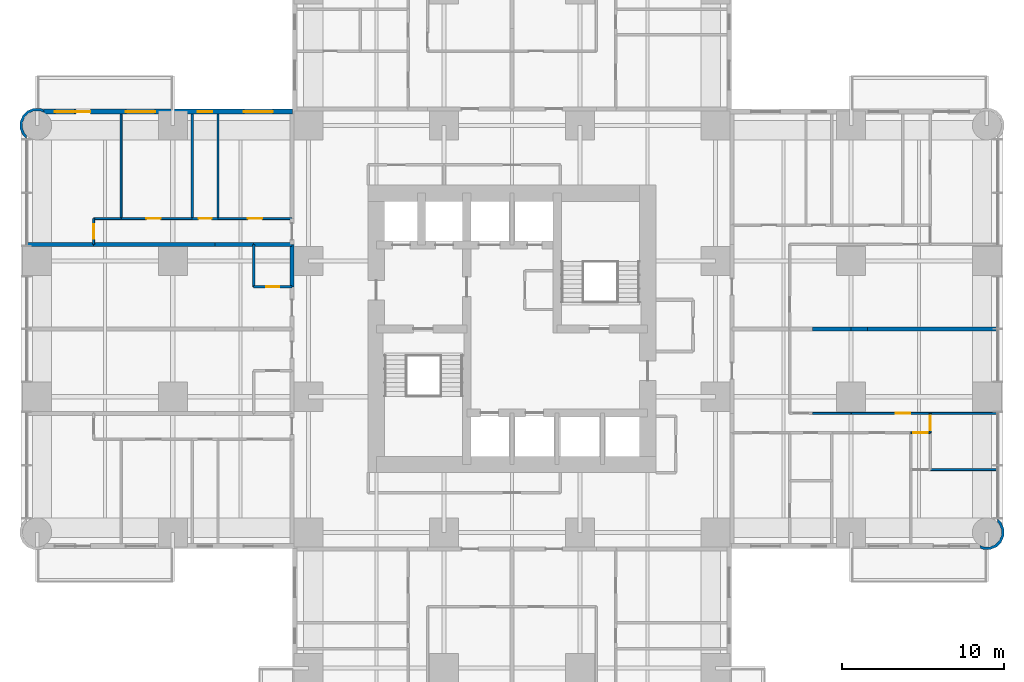
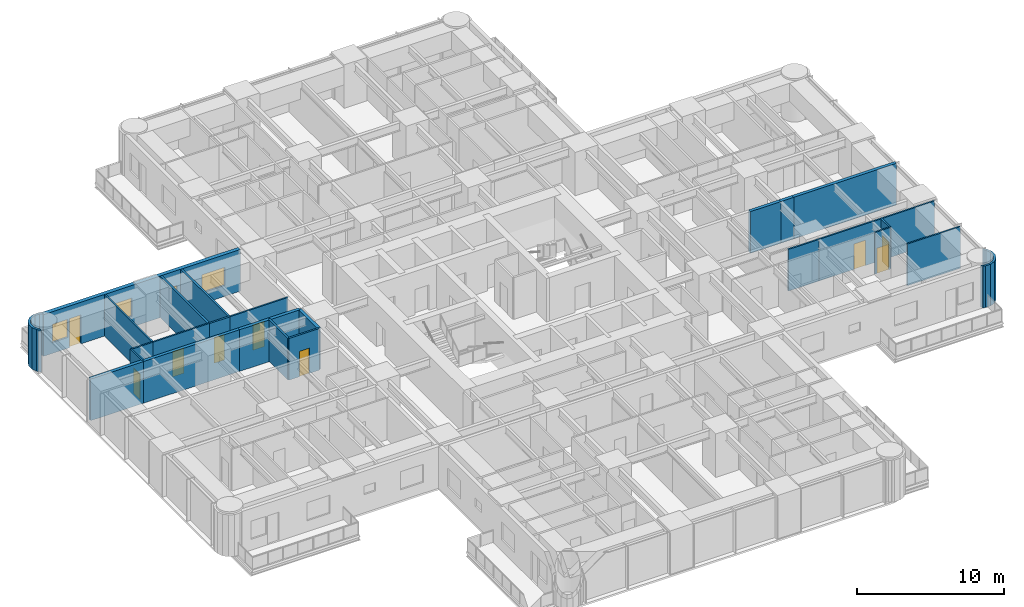
# One storey, part 11 of 17: 27 walls, 9 doors, 4 windows, 13 openings.
"""IFC4 building model written with IfcOpenShell, lengths in metres."""

from ifc_helpers import new_model, si_unit, direction, frame, frame_2d, origin, place, context, subcontext, project, spatial, polyline, rectangle, outline, extrude, material, layer, layer_set, type_object, element, fill, save


model = new_model("IFC4")

# Units and contexts
model_context = context("Model", 3, precision=1e-05, world=origin(), true_north=direction((0.0, 1.0)))
body_context = subcontext(model_context, "Body", "Model", "MODEL_VIEW")
ifc_project = project(units=[si_unit("LENGTHUNIT", "METRE"), si_unit("AREAUNIT", "SQUARE_METRE"), si_unit("VOLUMEUNIT", "CUBIC_METRE"), si_unit("PLANEANGLEUNIT", "RADIAN"), si_unit("MASSUNIT", "GRAM", prefix="KILO")], contexts=[model_context])

# Site, building, storey
site_placement = place(None, origin())
site = spatial("IfcSite", under=ifc_project, at=site_placement, CompositionType="ELEMENT")
building_placement = place(site_placement, origin())
building = spatial("IfcBuilding", under=site, at=building_placement, Name="Torre Alcanfor", CompositionType="ELEMENT")
storey_placement = place(building_placement, frame((0.0, 0.0, 74.10009765625)))
storey = spatial("IfcBuildingStorey", under=building, at=storey_placement, Name="L18", CompositionType="ELEMENT", Elevation=74.10009765625)

# Walls
ifc_material_1 = material(Name="Concrete block masonry, hollow blocks NMX-C-404 9 MPa", Category="masonry")
ifc_layer_1 = layer(ifc_material_1, 0.25)
ifc_layer_set_1 = layer_set([ifc_layer_1], Name="Apartment entrance wall 250 EI 60")
wall_type_1 = type_object("IfcWallType", Name="Apartment entrance wall 250 EI 60", PredefinedType="PARTITIONING", material=ifc_layer_set_1)
wall_1_placement = place(storey_placement, frame((15.77490234375, 32.0, 0.0), z_axis=(0.0, 0.0, 1.0), x_axis=(0.0, 1.0, 0.0)))
element("IfcWall", 1, at=wall_1_placement, inside=storey, type_object=wall_type_1, Name="Partition L18-CORR / L18-W2A-BATH", PredefinedType="PARTITIONING", context=body_context, shape_type="SweptSolid", body=[
    extrude(rectangle(XDim=2.62890625, YDim=0.25, at=frame_2d((1.314453125, 0.0))), origin(), (0.0, 0.0, 1.0), 3.449951171875),
])
ifc_material_2 = material(Name="Gypsum board on steel studs", Category="steel")
ifc_layer_2 = layer(ifc_material_2, 0.1201171875)
ifc_layer_set_2 = layer_set([ifc_layer_2], Name="Apartment partition 120")
wall_type_2 = type_object("IfcWallType", Name="Apartment partition 120", PredefinedType="PARTITIONING", material=ifc_layer_set_2)
wall_2_placement = place(storey_placement, frame((50.39990234375, 24.1708984375, 0.0), z_axis=(0.0, 0.0, 1.0), x_axis=(-1.0, 0.0, 0.0)))
element("IfcWall", 2, at=wall_2_placement, inside=storey, type_object=wall_type_2, Name="Partition L18-E2-KITCHEN / L18-E2-HALL", PredefinedType="PARTITIONING", context=body_context, shape_type="SweptSolid", body=[
    extrude(rectangle(XDim=2.39990234375, YDim=0.1201171875, at=frame_2d((1.199951171875, 0.0))), origin(), (0.0, 0.0, 1.0), 3.449951171875),
])

# Wall, opening, door
wall_3_placement = place(storey_placement, frame((55.300048828125, 24.1708984375, 0.0), z_axis=(0.0, 0.0, 1.0), x_axis=(-1.0, 0.0, 0.0)))
wall_3 = element("IfcWall", 3, at=wall_3_placement, inside=storey, type_object=wall_type_2, Name="Partition L18-E2-LIVING / L18-E2-HALL", PredefinedType="PARTITIONING", context=body_context, shape_type="SweptSolid", body=[
    extrude(rectangle(XDim=4.900146484375, YDim=0.1201171875, at=frame_2d((2.4501953125, 0.0))), origin(), (0.0, 0.0, 1.0), 3.449951171875),
])
opening_1_placement = place(wall_3_placement, frame((1.25, 0.0, 0.0)))
opening_1 = element("IfcOpeningElement", 4, at=opening_1_placement, cuts=wall_3, Name="Opening D-R1", PredefinedType="OPENING", context=body_context, shape_type="SweptSolid", body=[
    extrude(rectangle(XDim=0.89990234375, YDim=2.10009765625, at=frame_2d((0.449951171875, 1.050048828125))), frame((0.0, 0.070068359375, 0.0), z_axis=(0.0, -1.0, 0.0), x_axis=(1.0, 0.0, 0.0)), (0.0, 0.0, 1.0), 0.14013671875),
])
ifc_material_3 = material(Name="Timber", Category="wood")
door_type_1 = type_object("IfcDoorType", Name="Internal door 900x2100", OperationType="SINGLE_SWING_LEFT", PredefinedType="DOOR", material=ifc_material_3)
door_1_placement = place(opening_1_placement, frame((0.89990234375, 0.0, 0.0), z_axis=(0.0, 0.0, 1.0), x_axis=(-1.0, 0.0, 0.0)))
door_1 = element("IfcDoor", 5, at=door_1_placement, inside=storey, type_object=door_type_1, Name="Door L18-E2 living", OperationType="SINGLE_SWING_LEFT", OverallHeight=2.10009765625, OverallWidth=0.89990234375, PredefinedType="DOOR", context=body_context, shape_type="SweptSolid", body=[
    extrude(rectangle(XDim=0.89990234375, YDim=2.10009765625, at=frame_2d((0.449951171875, 1.050048828125))), frame((0.0, 0.025146484375, 0.0), z_axis=(0.0, -1.0, 0.0), x_axis=(1.0, 0.0, 0.0)), (0.0, 0.0, 1.0), 0.050048828125),
])
fill(opening_1, door_1)

# Wall
wall_4_placement = place(storey_placement, frame((59.449951171875, 24.1708984375, 0.0), z_axis=(0.0, 0.0, 1.0), x_axis=(-1.0, 0.0, 0.0)))
element("IfcWall", 6, at=wall_4_placement, inside=storey, type_object=wall_type_2, Name="Partition L18-E2-LIVING / L18-E2-BED2", PredefinedType="PARTITIONING", context=body_context, shape_type="SweptSolid", body=[
    extrude(rectangle(XDim=4.14990234375, YDim=0.1201171875, at=frame_2d((2.074951171875, 0.0))), origin(), (0.0, 0.0, 1.0), 3.449951171875),
])

# Wall, opening, door
wall_5_placement = place(storey_placement, frame((55.300048828125, 22.970947265625, 0.0), z_axis=(0.0, 0.0, 1.0), x_axis=(-1.0, 0.0, 0.0)))
wall_5 = element("IfcWall", 7, at=wall_5_placement, inside=storey, type_object=wall_type_2, Name="Partition L18-E2-HALL / L18-E2-VEST", PredefinedType="PARTITIONING", context=body_context, shape_type="SweptSolid", body=[
    extrude(rectangle(XDim=1.199951171875, YDim=0.1201171875, at=frame_2d((0.60009765625, 0.0))), origin(), (0.0, 0.0, 1.0), 3.449951171875),
])
opening_2_placement = place(wall_5_placement, frame((0.14990234375, 0.0, 0.0)))
opening_2 = element("IfcOpeningElement", 8, at=opening_2_placement, cuts=wall_5, Name="Opening D-R1", PredefinedType="OPENING", context=body_context, shape_type="SweptSolid", body=[
    extrude(rectangle(XDim=0.89990234375, YDim=2.10009765625, at=frame_2d((0.449951171875, 1.050048828125))), frame((0.0, 0.070068359375, 0.0), z_axis=(0.0, -1.0, 0.0), x_axis=(1.0, 0.0, 0.0)), (0.0, 0.0, 1.0), 0.14013671875),
])
door_2_placement = place(opening_2_placement, origin())
door_2 = element("IfcDoor", 9, at=door_2_placement, inside=storey, type_object=door_type_1, Name="Door L18-E2 vest", OperationType="SINGLE_SWING_LEFT", OverallHeight=2.10009765625, OverallWidth=0.89990234375, PredefinedType="DOOR", context=body_context, shape_type="SweptSolid", body=[
    extrude(rectangle(XDim=0.89990234375, YDim=2.10009765625, at=frame_2d((0.449951171875, 1.050048828125))), frame((0.0, 0.02490234375, 0.0), z_axis=(0.0, -1.0, 0.0), x_axis=(1.0, 0.0, 0.0)), (0.0, 0.0, 1.0), 0.050048828125),
])
fill(opening_2, door_2)

wall_6_placement = place(storey_placement, frame((55.300048828125, 24.1708984375, 0.0), z_axis=(0.0, 0.0, 1.0), x_axis=(0.0, -1.0, 0.0)))
wall_6 = element("IfcWall", 10, at=wall_6_placement, inside=storey, type_object=wall_type_2, Name="Partition L18-E2-HALL / L18-E2-BED2", PredefinedType="PARTITIONING", context=body_context, shape_type="SweptSolid", body=[
    extrude(rectangle(XDim=1.199951171875, YDim=0.1201171875, at=frame_2d((0.60009765625, 0.0))), origin(), (0.0, 0.0, 1.0), 3.449951171875),
])
opening_3_placement = place(wall_6_placement, frame((0.15087890625, 0.0, 0.0)))
opening_3 = element("IfcOpeningElement", 11, at=opening_3_placement, cuts=wall_6, Name="Opening D-R1", PredefinedType="OPENING", context=body_context, shape_type="SweptSolid", body=[
    extrude(rectangle(XDim=0.89990234375, YDim=2.10009765625, at=frame_2d((0.449951171875, 1.050048828125))), frame((0.0, 0.070068359375, 0.0), z_axis=(0.0, -1.0, 0.0), x_axis=(1.0, 0.0, 0.0)), (0.0, 0.0, 1.0), 0.14013671875),
])
door_3_placement = place(opening_3_placement, origin())
door_3 = element("IfcDoor", 12, at=door_3_placement, inside=storey, type_object=door_type_1, Name="Door L18-E2 bed2", OperationType="SINGLE_SWING_LEFT", OverallHeight=2.10009765625, OverallWidth=0.89990234375, PredefinedType="DOOR", context=body_context, shape_type="SweptSolid", body=[
    extrude(rectangle(XDim=0.89990234375, YDim=2.10009765625, at=frame_2d((0.449951171875, 1.050048828125))), frame((0.0, 0.02490234375, 0.0), z_axis=(0.0, -1.0, 0.0), x_axis=(1.0, 0.0, 0.0)), (0.0, 0.0, 1.0), 0.050048828125),
])
fill(opening_3, door_3)

# Wall
wall_7_placement = place(storey_placement, frame((59.449951171875, 20.68603515625, 0.0), z_axis=(0.0, 0.0, 1.0), x_axis=(-1.0, 0.0, 0.0)))
element("IfcWall", 13, at=wall_7_placement, inside=storey, type_object=wall_type_2, Name="Partition L18-E2-BED2 / L18-E2-MASTER", PredefinedType="PARTITIONING", context=body_context, shape_type="SweptSolid", body=[
    extrude(rectangle(XDim=4.14990234375, YDim=0.1201171875, at=frame_2d((2.074951171875, 0.0))), origin(), (0.0, 0.0, 1.0), 3.449951171875),
])

# Wall, opening, door
wall_8_placement = place(storey_placement, frame((11.199951171875, 36.22900390625, 0.0), z_axis=(0.0, 0.0, 1.0), x_axis=(1.0, 0.0, 0.0)))
wall_8 = element("IfcWall", 14, at=wall_8_placement, inside=storey, type_object=wall_type_2, Name="Partition L18-W2B-HALL / L18-W2B-MASTER", PredefinedType="PARTITIONING", context=body_context, shape_type="SweptSolid", body=[
    extrude(rectangle(XDim=4.574951171875, YDim=0.1201171875, at=frame_2d((2.28759765625, 0.0))), origin(), (0.0, 0.0, 1.0), 3.449951171875),
])
opening_4_placement = place(wall_8_placement, frame((1.85009765625, 0.0, 0.0)))
opening_4 = element("IfcOpeningElement", 15, at=opening_4_placement, cuts=wall_8, Name="Opening D-R1", PredefinedType="OPENING", context=body_context, shape_type="SweptSolid", body=[
    extrude(rectangle(XDim=0.89990234375, YDim=2.10009765625, at=frame_2d((0.449951171875, 1.050048828125))), frame((0.0, 0.070068359375, 0.0), z_axis=(0.0, -1.0, 0.0), x_axis=(1.0, 0.0, 0.0)), (0.0, 0.0, 1.0), 0.14013671875),
])
door_4_placement = place(opening_4_placement, origin())
door_4 = element("IfcDoor", 16, at=door_4_placement, inside=storey, type_object=door_type_1, Name="Door L18-W2B master", OperationType="SINGLE_SWING_RIGHT", OverallHeight=2.10009765625, OverallWidth=0.89990234375, PredefinedType="DOOR", context=body_context, shape_type="SweptSolid", body=[
    extrude(rectangle(XDim=0.89990234375, YDim=2.10009765625, at=frame_2d((0.449951171875, 1.050048828125))), frame((0.0, 0.02490234375, 0.0), z_axis=(0.0, -1.0, 0.0), x_axis=(1.0, 0.0, 0.0)), (0.0, 0.0, 1.0), 0.050048828125),
])
fill(opening_4, door_4)

wall_9_placement = place(storey_placement, frame((5.199951171875, 36.22900390625, 0.0), z_axis=(0.0, 0.0, 1.0), x_axis=(1.0, 0.0, 0.0)))
wall_9 = element("IfcWall", 17, at=wall_9_placement, inside=storey, type_object=wall_type_2, Name="Partition L18-W2B-HALL / L18-W2B-STUDY", PredefinedType="PARTITIONING", context=body_context, shape_type="SweptSolid", body=[
    extrude(rectangle(XDim=4.400146484375, YDim=0.1201171875, at=frame_2d((2.2001953125, 0.0))), origin(), (0.0, 0.0, 1.0), 3.449951171875),
])
opening_5_placement = place(wall_9_placement, frame((1.550048828125, 0.0, 0.0)))
opening_5 = element("IfcOpeningElement", 18, at=opening_5_placement, cuts=wall_9, Name="Opening D-R1", PredefinedType="OPENING", context=body_context, shape_type="SweptSolid", body=[
    extrude(rectangle(XDim=0.89990234375, YDim=2.10009765625, at=frame_2d((0.449951171875, 1.050048828125))), frame((0.0, 0.070068359375, 0.0), z_axis=(0.0, -1.0, 0.0), x_axis=(1.0, 0.0, 0.0)), (0.0, 0.0, 1.0), 0.14013671875),
])
door_5_placement = place(opening_5_placement, origin())
door_5 = element("IfcDoor", 19, at=door_5_placement, inside=storey, type_object=door_type_1, Name="Door L18-W2B study", OperationType="SINGLE_SWING_LEFT", OverallHeight=2.10009765625, OverallWidth=0.89990234375, PredefinedType="DOOR", context=body_context, shape_type="SweptSolid", body=[
    extrude(rectangle(XDim=0.89990234375, YDim=2.10009765625, at=frame_2d((0.449951171875, 1.050048828125))), frame((0.0, 0.02490234375, 0.0), z_axis=(0.0, -1.0, 0.0), x_axis=(1.0, 0.0, 0.0)), (0.0, 0.0, 1.0), 0.050048828125),
])
fill(opening_5, door_5)

# Wall
wall_10_placement = place(storey_placement, frame((3.5, 36.22900390625, 0.0), z_axis=(0.0, 0.0, 1.0), x_axis=(1.0, 0.0, 0.0)))
element("IfcWall", 20, at=wall_10_placement, inside=storey, type_object=wall_type_2, Name="Partition L18-W2B-HALL / L18-W2B-KITCHEN", PredefinedType="PARTITIONING", context=body_context, shape_type="SweptSolid", body=[
    extrude(rectangle(XDim=1.699951171875, YDim=0.1201171875, at=frame_2d((0.85009765625, 0.0))), origin(), (0.0, 0.0, 1.0), 3.449951171875),
])

# Wall, opening, door
wall_11_placement = place(storey_placement, frame((3.5, 34.62890625, 0.0), z_axis=(0.0, 0.0, 1.0), x_axis=(0.0, 1.0, 0.0)))
wall_11 = element("IfcWall", 21, at=wall_11_placement, inside=storey, type_object=wall_type_2, Name="Partition L18-W2B-HALL / L18-W2B-LIVING", PredefinedType="PARTITIONING", context=body_context, shape_type="SweptSolid", body=[
    extrude(rectangle(XDim=1.60009765625, YDim=0.1201171875, at=frame_2d((0.800048828125, 0.0))), origin(), (0.0, 0.0, 1.0), 3.449951171875),
])
opening_6_placement = place(wall_11_placement, frame((0.35009765625, 0.0, 0.0)))
opening_6 = element("IfcOpeningElement", 22, at=opening_6_placement, cuts=wall_11, Name="Opening D-R1", PredefinedType="OPENING", context=body_context, shape_type="SweptSolid", body=[
    extrude(rectangle(XDim=0.89990234375, YDim=2.10009765625, at=frame_2d((0.449951171875, 1.050048828125))), frame((0.0, 0.070068359375, 0.0), z_axis=(0.0, -1.0, 0.0), x_axis=(1.0, 0.0, 0.0)), (0.0, 0.0, 1.0), 0.14013671875),
])
door_6_placement = place(opening_6_placement, origin())
door_6 = element("IfcDoor", 23, at=door_6_placement, inside=storey, type_object=door_type_1, Name="Door L18-W2B living", OperationType="SINGLE_SWING_LEFT", OverallHeight=2.10009765625, OverallWidth=0.89990234375, PredefinedType="DOOR", context=body_context, shape_type="SweptSolid", body=[
    extrude(rectangle(XDim=0.89990234375, YDim=2.10009765625, at=frame_2d((0.449951171875, 1.050048828125))), frame((0.0, 0.02490234375, 0.0), z_axis=(0.0, -1.0, 0.0), x_axis=(1.0, 0.0, 0.0)), (0.0, 0.0, 1.0), 0.050048828125),
])
fill(opening_6, door_6)

# Wall
wall_12_placement = place(storey_placement, frame((5.199951171875, 36.22900390625, 0.0), z_axis=(0.0, 0.0, 1.0), x_axis=(0.0, 1.0, 0.0)))
element("IfcWall", 24, at=wall_12_placement, inside=storey, type_object=wall_type_2, Name="Partition L18-W2B-STUDY / L18-W2B-KITCHEN", PredefinedType="PARTITIONING", context=body_context, shape_type="SweptSolid", body=[
    extrude(rectangle(XDim=6.470947265625, YDim=0.1201171875, at=frame_2d((3.2353515625, 0.0))), origin(), (0.0, 0.0, 1.0), 3.449951171875),
])

# Wall, openings, door, windows
ifc_material_4 = material(Name="Limestone cladding", Category="masonry")
ifc_layer_3 = layer(ifc_material_4, 0.0400390625, Name="Facing")
ifc_material_5 = material(Name="Ventilated air cavity")
ifc_layer_4 = layer(ifc_material_5, 0.02001953125, ventilated=True, Name="Ventilated joint")
ifc_material_6 = material(Name="Mineral wool insulation", Category="insulation")
ifc_layer_5 = layer(ifc_material_6, 0.10009765625, Name="Insulation")
ifc_material_7 = material(Name="Concrete f'c 35 MPa", Category="concrete")
ifc_layer_6 = layer(ifc_material_7, 0.139892578125, Name="Backing")
ifc_layer_set_3 = layer_set([ifc_layer_3, ifc_layer_4, ifc_layer_5, ifc_layer_6], Name="External wall stone-clad 300")
wall_type_3 = type_object("IfcWallType", Name="External wall stone-clad 300", PredefinedType="SOLIDWALL", material=ifc_layer_set_3)
wall_13_placement = place(storey_placement, frame((15.800048828125, 42.85009765625, 0.0), z_axis=(0.0, 0.0, 1.0), x_axis=(-1.0, 0.0, 0.0)))
wall_13 = element("IfcWall", 25, at=wall_13_placement, inside=storey, type_object=wall_type_3, Name="External wall L18 1", PredefinedType="SOLIDWALL", context=body_context, shape_type="SweptSolid", body=[
    extrude(rectangle(XDim=15.400146484375, YDim=0.300048828125, at=frame_2d((7.7001953125, 0.0))), origin(), (0.0, 0.0, 1.0), 3.449951171875),
])
opening_7_placement = place(wall_13_placement, frame((1.199951171875, 0.0, 0.89990234375)))
opening_7 = element("IfcOpeningElement", 26, at=opening_7_placement, cuts=wall_13, Name="Opening W2", PredefinedType="OPENING", context=body_context, shape_type="SweptSolid", body=[
    extrude(rectangle(XDim=1.800048828125, YDim=1.5, at=frame_2d((0.89990234375, 0.75))), frame((0.0, 0.159912109375, 0.0), z_axis=(0.0, -1.0, 0.0), x_axis=(1.0, 0.0, 0.0)), (0.0, 0.0, 1.0), 0.320068359375),
])
opening_8_placement = place(wall_13_placement, frame((4.949951171875, 0.0, 1.5)))
opening_8 = element("IfcOpeningElement", 27, at=opening_8_placement, cuts=wall_13, Name="Opening W3", PredefinedType="OPENING", context=body_context, shape_type="SweptSolid", body=[
    extrude(rectangle(XDim=0.89990234375, YDim=0.699951171875, at=frame_2d((0.449951171875, 0.35009765625))), frame((0.0, 0.159912109375, 0.0), z_axis=(0.0, -1.0, 0.0), x_axis=(1.0, 0.0, 0.0)), (0.0, 0.0, 1.0), 0.320068359375),
])
opening_9_placement = place(wall_13_placement, frame((8.5, 0.0, 0.89990234375)))
opening_9 = element("IfcOpeningElement", 28, at=opening_9_placement, cuts=wall_13, Name="Opening W2", PredefinedType="OPENING", context=body_context, shape_type="SweptSolid", body=[
    extrude(rectangle(XDim=1.800048828125, YDim=1.5, at=frame_2d((0.89990234375, 0.75))), frame((0.0, 0.159912109375, 0.0), z_axis=(0.0, -1.0, 0.0), x_axis=(1.0, 0.0, 0.0)), (0.0, 0.0, 1.0), 0.320068359375),
])
opening_10_placement = place(wall_13_placement, frame((12.5, 0.0, 0.0)))
opening_10 = element("IfcOpeningElement", 29, at=opening_10_placement, cuts=wall_13, Name="Opening D-B1", PredefinedType="OPENING", context=body_context, shape_type="SweptSolid", body=[
    extrude(rectangle(XDim=0.89990234375, YDim=2.39990234375, at=frame_2d((0.449951171875, 1.199951171875))), frame((0.0, 0.159912109375, 0.0), z_axis=(0.0, -1.0, 0.0), x_axis=(1.0, 0.0, 0.0)), (0.0, 0.0, 1.0), 0.320068359375),
])
opening_11_placement = place(wall_13_placement, frame((13.5, 0.0, 0.89990234375)))
opening_11 = element("IfcOpeningElement", 30, at=opening_11_placement, cuts=wall_13, Name="Opening W4", PredefinedType="OPENING", context=body_context, shape_type="SweptSolid", body=[
    extrude(rectangle(XDim=1.199951171875, YDim=1.5, at=frame_2d((0.60009765625, 0.75))), frame((0.0, 0.159912109375, 0.0), z_axis=(0.0, -1.0, 0.0), x_axis=(1.0, 0.0, 0.0)), (0.0, 0.0, 1.0), 0.320068359375),
])
ifc_material_8 = material(Name="Aluminium and glass", Category="aluminium")
door_type_2 = type_object("IfcDoorType", Name="Balcony door glazed 900x2400", OperationType="SINGLE_SWING_LEFT", PredefinedType="DOOR", material=ifc_material_8)
door_7_placement = place(opening_10_placement, origin())
door_7 = element("IfcDoor", 31, at=door_7_placement, inside=storey, type_object=door_type_2, Name="Balcony door L18-W2", OperationType="SINGLE_SWING_LEFT", OverallHeight=2.39990234375, OverallWidth=0.89990234375, PredefinedType="DOOR", context=body_context, shape_type="SweptSolid", body=[
    extrude(rectangle(XDim=0.89990234375, YDim=2.39990234375, at=frame_2d((0.449951171875, 1.199951171875))), frame((0.0, 0.02490234375, 0.0), z_axis=(0.0, -1.0, 0.0), x_axis=(1.0, 0.0, 0.0)), (0.0, 0.0, 1.0), 0.050048828125),
])
fill(opening_10, door_7)
ifc_material_9 = material(Name="Aluminium frame with clear double glazing", Category="aluminium")
window_type_1 = type_object("IfcWindowType", Name="Window bathroom 900x700", PartitioningType="SINGLE_PANEL", PredefinedType="WINDOW", material=ifc_material_9)
window_1_placement = place(opening_8_placement, origin())
window_1 = element("IfcWindow", 32, at=window_1_placement, inside=storey, type_object=window_type_1, Name="Window W3 L18-W2", OverallHeight=0.699951171875, OverallWidth=0.89990234375, PartitioningType="SINGLE_PANEL", PredefinedType="WINDOW", context=body_context, shape_type="SweptSolid", body=[
    extrude(rectangle(XDim=0.89990234375, YDim=0.699951171875, at=frame_2d((0.449951171875, 0.35009765625))), frame((0.0, 0.030029296875, 0.0), z_axis=(0.0, -1.0, 0.0), x_axis=(1.0, 0.0, 0.0)), (0.0, 0.0, 1.0), 0.06005859375),
])
fill(opening_8, window_1)
ifc_material_10 = material(Name="Aluminium frame with clear double glazing", Category="aluminium")
window_type_2 = type_object("IfcWindowType", Name="Window bedroom 1200x1500", PartitioningType="SINGLE_PANEL", PredefinedType="WINDOW", material=ifc_material_10)
window_2_placement = place(opening_11_placement, origin())
window_2 = element("IfcWindow", 33, at=window_2_placement, inside=storey, type_object=window_type_2, Name="Window W4 L18-W2", OverallHeight=1.5, OverallWidth=1.199951171875, PartitioningType="SINGLE_PANEL", PredefinedType="WINDOW", context=body_context, shape_type="SweptSolid", body=[
    extrude(rectangle(XDim=1.199951171875, YDim=1.5, at=frame_2d((0.60009765625, 0.75))), frame((0.0, 0.030029296875, 0.0), z_axis=(0.0, -1.0, 0.0), x_axis=(1.0, 0.0, 0.0)), (0.0, 0.0, 1.0), 0.06005859375),
])
fill(opening_11, window_2)
ifc_material_11 = material(Name="Aluminium frame with clear double glazing", Category="aluminium")
window_type_3 = type_object("IfcWindowType", Name="Window bedroom 1800x1500", PartitioningType="SINGLE_PANEL", PredefinedType="WINDOW", material=ifc_material_11)
window_3_placement = place(opening_7_placement, origin())
window_3 = element("IfcWindow", 34, at=window_3_placement, inside=storey, type_object=window_type_3, Name="Window W2 L18-W2", OverallHeight=1.5, OverallWidth=1.800048828125, PartitioningType="SINGLE_PANEL", PredefinedType="WINDOW", context=body_context, shape_type="SweptSolid", body=[
    extrude(rectangle(XDim=1.800048828125, YDim=1.5, at=frame_2d((0.89990234375, 0.75))), frame((0.0, 0.030029296875, 0.0), z_axis=(0.0, -1.0, 0.0), x_axis=(1.0, 0.0, 0.0)), (0.0, 0.0, 1.0), 0.06005859375),
])
fill(opening_7, window_3)
window_4_placement = place(opening_9_placement, origin())
window_4 = element("IfcWindow", 35, at=window_4_placement, inside=storey, type_object=window_type_3, Name="Window W2 L18-W2", OverallHeight=1.5, OverallWidth=1.800048828125, PartitioningType="SINGLE_PANEL", PredefinedType="WINDOW", context=body_context, shape_type="SweptSolid", body=[
    extrude(rectangle(XDim=1.800048828125, YDim=1.5, at=frame_2d((0.89990234375, 0.75))), frame((0.0, 0.030029296875, 0.0), z_axis=(0.0, -1.0, 0.0), x_axis=(1.0, 0.0, 0.0)), (0.0, 0.0, 1.0), 0.06005859375),
])
fill(opening_9, window_4)

# Walls
ifc_material_12 = material(Name="Concrete block masonry, hollow blocks NMX-C-404 9 MPa", Category="masonry")
ifc_layer_7 = layer(ifc_material_12, 0.25)
ifc_layer_set_4 = layer_set([ifc_layer_7], Name="Party wall 250 EI 60")
wall_type_4 = type_object("IfcWallType", Name="Party wall 250 EI 60", PredefinedType="PARTITIONING", material=ifc_layer_set_4)
wall_14_placement = place(storey_placement, frame((48.0, 29.39990234375, 0.0), z_axis=(0.0, 0.0, 1.0), x_axis=(1.0, 0.0, 0.0)))
element("IfcWall", 36, at=wall_14_placement, inside=storey, type_object=wall_type_4, Name="Partition L18-E1-KITCHEN / L18-E2-KITCHEN", PredefinedType="PARTITIONING", context=body_context, shape_type="SweptSolid", body=[
    extrude(rectangle(XDim=2.39990234375, YDim=0.25, at=frame_2d((1.199951171875, 0.0))), origin(), (0.0, 0.0, 1.0), 3.449951171875),
])
wall_15_placement = place(storey_placement, frame((50.39990234375, 29.39990234375, 0.0), z_axis=(0.0, 0.0, 1.0), x_axis=(1.0, 0.0, 0.0)))
element("IfcWall", 37, at=wall_15_placement, inside=storey, type_object=wall_type_4, Name="Partition L18-E1-KITCHEN / L18-E2-LIVING", PredefinedType="PARTITIONING", context=body_context, shape_type="SweptSolid", body=[
    extrude(rectangle(XDim=1.0, YDim=0.25, at=frame_2d((0.5, 0.0))), origin(), (0.0, 0.0, 1.0), 3.449951171875),
])
wall_16_placement = place(storey_placement, frame((51.39990234375, 29.39990234375, 0.0), z_axis=(0.0, 0.0, 1.0), x_axis=(1.0, 0.0, 0.0)))
element("IfcWall", 38, at=wall_16_placement, inside=storey, type_object=wall_type_4, Name="Partition L18-E1-LIVING / L18-E2-LIVING", PredefinedType="PARTITIONING", context=body_context, shape_type="SweptSolid", body=[
    extrude(rectangle(XDim=8.050048828125, YDim=0.25, at=frame_2d((4.02490234375, 0.0))), origin(), (0.0, 0.0, 1.0), 3.449951171875),
])
wall_17_placement = place(storey_placement, frame((13.39990234375, 34.62890625, 0.0), z_axis=(0.0, 0.0, 1.0), x_axis=(1.0, 0.0, 0.0)))
element("IfcWall", 39, at=wall_17_placement, inside=storey, type_object=wall_type_4, Name="Partition L18-W2A-BATH / L18-W2B-HALL", PredefinedType="PARTITIONING", context=body_context, shape_type="SweptSolid", body=[
    extrude(rectangle(XDim=2.375, YDim=0.25, at=frame_2d((1.1875, 0.0))), origin(), (0.0, 0.0, 1.0), 3.449951171875),
])
wall_18_placement = place(storey_placement, frame((11.0, 34.62890625, 0.0), z_axis=(0.0, 0.0, 1.0), x_axis=(1.0, 0.0, 0.0)))
element("IfcWall", 40, at=wall_18_placement, inside=storey, type_object=wall_type_4, Name="Partition L18-W2A-KITCHEN / L18-W2B-HALL", PredefinedType="PARTITIONING", context=body_context, shape_type="SweptSolid", body=[
    extrude(rectangle(XDim=2.39990234375, YDim=0.25, at=frame_2d((1.199951171875, 0.0))), origin(), (0.0, 0.0, 1.0), 3.449951171875),
])
wall_19_placement = place(storey_placement, frame((3.5, 34.62890625, 0.0), z_axis=(0.0, 0.0, 1.0), x_axis=(1.0, 0.0, 0.0)))
element("IfcWall", 41, at=wall_19_placement, inside=storey, type_object=wall_type_4, Name="Partition L18-W2A-STUDIO / L18-W2B-HALL", PredefinedType="PARTITIONING", context=body_context, shape_type="SweptSolid", body=[
    extrude(rectangle(XDim=7.5, YDim=0.25, at=frame_2d((3.75, 0.0))), origin(), (0.0, 0.0, 1.0), 3.449951171875),
])
wall_20_placement = place(storey_placement, frame((-0.64990234375, 34.62890625, 0.0), z_axis=(0.0, 0.0, 1.0), x_axis=(1.0, 0.0, 0.0)))
element("IfcWall", 42, at=wall_20_placement, inside=storey, type_object=wall_type_4, Name="Partition L18-W2A-STUDIO / L18-W2B-LIVING", PredefinedType="PARTITIONING", context=body_context, shape_type="SweptSolid", body=[
    extrude(rectangle(XDim=4.14990234375, YDim=0.25, at=frame_2d((2.074951171875, 0.0))), origin(), (0.0, 0.0, 1.0), 3.449951171875),
])
ifc_layer_8 = layer(ifc_material_4, 0.0400390625, Name="Facing")
ifc_layer_9 = layer(ifc_material_5, 0.02001953125, ventilated=True, Name="Ventilated joint")
ifc_layer_10 = layer(ifc_material_6, 0.10009765625, Name="Insulation")
ifc_layer_11 = layer(ifc_material_7, 0.139892578125, Name="Backing")
ifc_layer_set_5 = layer_set([ifc_layer_8, ifc_layer_9, ifc_layer_10, ifc_layer_11], Name="Rounded corner pier stone-clad 300")
wall_type_5 = type_object("IfcWallType", Name="Rounded corner pier stone-clad 300", PredefinedType="SOLIDWALL", material=ifc_layer_set_5)
wall_21_placement = place(storey_placement, frame((0.363962863, 42.909907157, 0.0), z_axis=(0.0, 0.0, 1.0), x_axis=(-0.926129809145, 0.377204953059, 0.0)))
element("IfcWall", 43, at=wall_21_placement, inside=storey, type_object=wall_type_5, Name="Corner pier L18 13", PredefinedType="SOLIDWALL", context=body_context, shape_type="SweptSolid", body=[
    extrude(outline(polyline([(0.36027248147905344, 1.8032799323574271), (0.5087783723473315, 1.740921099842025), (0.7605913470133172, 1.4857584601095954), (0.8957810128069955, 1.1538349835897281), (0.8939031559639274, 0.7953461823991875), (0.7547957339381889, 0.4650577343600455), (0.4996330942057594, 0.21324475969405968), (0.1677096176858921, 0.07805509390038129), (-0.09992182078970525, 0.07950523369113624), (0.0006988421670046999, -0.09699421764222865), (0.0300177129428464, -0.08030783699434613), (0.19858532179107968, -0.08124570553990346), (0.5888441232034033, 0.0777034519259609), (0.8888369702307105, 0.374136779300854), (1.052603126025944, 0.7629734686109036), (1.0550818122472803, 1.1847106876949156), (0.8961326547814159, 1.5749694891072394), (0.7776866026168303, 1.6949130219751851), (0.7691400347446393, 1.7275471706587737), (0.7502646662372825, 1.7227591424871238), (0.599699327406523, 1.8749623361345464), (0.2945484394782597, 2.0034825844222954), (0.2809820848521072, 1.9979571212427172), (0.36027248147905344, 1.8032799323574271)])), origin(), (0.0, 0.0, 1.0), 3.449951171875),
])
wall_22_placement = place(storey_placement, frame((58.436037137, 15.890092843, 0.0), z_axis=(0.0, 0.0, 1.0), x_axis=(0.926129809145, -0.377204953059, 0.0)))
element("IfcWall", 44, at=wall_22_placement, inside=storey, type_object=wall_type_5, Name="Corner pier L18 17", PredefinedType="SOLIDWALL", context=body_context, shape_type="SweptSolid", body=[
    extrude(outline(polyline([(0.769166837716128, 1.7276108100514604), (0.7500653632983351, 1.7227306908268178), (0.5995000244675756, 1.8749338844742405), (0.2945752424497483, 2.003546223814982), (0.2810088878235957, 1.9980207606354041), (0.36029928445054193, 1.803343571750114), (0.5086711604613772, 1.740666542271283), (0.7606181499848057, 1.4858220995022824), (0.8958078157784841, 1.153898622982415), (0.8937038530249802, 0.7953177307388815), (0.7545964309992416, 0.4650292826997394), (0.49975198823024103, 0.21308229317631072), (0.16782851171037358, 0.07789262738263233), (-0.0998950178182167, 0.07956887308382314), (0.0004995392280573718, -0.09702266930253471), (0.03004451591433495, -0.08024419760165923), (0.19838601885213236, -0.08127415720020953), (0.5888709261748919, 0.07776709131864781), (0.888863773202199, 0.37420041869354087), (1.0524038230869968, 0.7629450169505976), (1.0552007062717619, 1.1845482211771667), (0.8961594577529046, 1.5750331284999262), (0.777713405588319, 1.694976661367872), (0.769166837716128, 1.7276108100514604)])), origin(), (0.0, 0.0, 1.0), 3.449951171875),
])

# Wall, opening, door
ifc_material_13 = material(Name="Cement board on steel studs", Category="steel")
ifc_layer_12 = layer(ifc_material_13, 0.14990234375)
ifc_layer_set_6 = layer_set([ifc_layer_12], Name="Wet area partition 150")
wall_type_6 = type_object("IfcWallType", Name="Wet area partition 150", PredefinedType="PARTITIONING", material=ifc_layer_set_6)
wall_23_placement = place(storey_placement, frame((13.39990234375, 32.0, 0.0), z_axis=(0.0, 0.0, 1.0), x_axis=(1.0, 0.0, 0.0)))
wall_23 = element("IfcWall", 45, at=wall_23_placement, inside=storey, type_object=wall_type_6, Name="Partition L18-W2A-FOYER / L18-W2A-BATH", PredefinedType="PARTITIONING", context=body_context, shape_type="SweptSolid", body=[
    extrude(rectangle(XDim=2.375, YDim=0.14990234375, at=frame_2d((1.1875, 0.0))), origin(), (0.0, 0.0, 1.0), 3.449951171875),
])
opening_12_placement = place(wall_23_placement, frame((0.800048828125, 0.0, 0.0)))
opening_12 = element("IfcOpeningElement", 46, at=opening_12_placement, cuts=wall_23, Name="Opening D-R2", PredefinedType="OPENING", context=body_context, shape_type="SweptSolid", body=[
    extrude(rectangle(XDim=0.800048828125, YDim=2.10009765625, at=frame_2d((0.39990234375, 1.050048828125))), frame((0.0, 0.0849609375, 0.0), z_axis=(0.0, -1.0, 0.0), x_axis=(1.0, 0.0, 0.0)), (0.0, 0.0, 1.0), 0.169921875),
])
ifc_material_14 = material(Name="Timber", Category="wood")
door_type_3 = type_object("IfcDoorType", Name="Bathroom door 800x2100", OperationType="SINGLE_SWING_LEFT", PredefinedType="DOOR", material=ifc_material_14)
door_8_placement = place(opening_12_placement, origin())
door_8 = element("IfcDoor", 47, at=door_8_placement, inside=storey, type_object=door_type_3, Name="Door L18-W2A bath", OperationType="SINGLE_SWING_RIGHT", OverallHeight=2.10009765625, OverallWidth=0.800048828125, PredefinedType="DOOR", context=body_context, shape_type="SweptSolid", body=[
    extrude(rectangle(XDim=0.800048828125, YDim=2.10009765625, at=frame_2d((0.39990234375, 1.050048828125))), frame((0.0, 0.02490234375, 0.0), z_axis=(0.0, -1.0, 0.0), x_axis=(1.0, 0.0, 0.0)), (0.0, 0.0, 1.0), 0.050048828125),
])
fill(opening_12, door_8)

# Wall
wall_24_placement = place(storey_placement, frame((13.39990234375, 32.0, 0.0), z_axis=(0.0, 0.0, 1.0), x_axis=(0.0, 1.0, 0.0)))
element("IfcWall", 48, at=wall_24_placement, inside=storey, type_object=wall_type_6, Name="Partition L18-W2A-BATH / L18-W2A-KITCHEN", PredefinedType="PARTITIONING", context=body_context, shape_type="SweptSolid", body=[
    extrude(rectangle(XDim=2.62890625, YDim=0.14990234375, at=frame_2d((1.314453125, 0.0))), origin(), (0.0, 0.0, 1.0), 3.449951171875),
])

# Wall, opening, door
wall_25_placement = place(storey_placement, frame((9.60009765625, 36.22900390625, 0.0), z_axis=(0.0, 0.0, 1.0), x_axis=(1.0, 0.0, 0.0)))
wall_25 = element("IfcWall", 49, at=wall_25_placement, inside=storey, type_object=wall_type_6, Name="Partition L18-W2B-HALL / L18-W2B-BATH", PredefinedType="PARTITIONING", context=body_context, shape_type="SweptSolid", body=[
    extrude(rectangle(XDim=1.599853515625, YDim=0.14990234375, at=frame_2d((0.7998046875, 0.0))), origin(), (0.0, 0.0, 1.0), 3.449951171875),
])
opening_13_placement = place(wall_25_placement, frame((0.39990234375, 0.0, 0.0)))
opening_13 = element("IfcOpeningElement", 50, at=opening_13_placement, cuts=wall_25, Name="Opening D-R2", PredefinedType="OPENING", context=body_context, shape_type="SweptSolid", body=[
    extrude(rectangle(XDim=0.800048828125, YDim=2.10009765625, at=frame_2d((0.39990234375, 1.050048828125))), frame((0.0, 0.0849609375, 0.0), z_axis=(0.0, -1.0, 0.0), x_axis=(1.0, 0.0, 0.0)), (0.0, 0.0, 1.0), 0.169921875),
])
door_9_placement = place(opening_13_placement, origin())
door_9 = element("IfcDoor", 51, at=door_9_placement, inside=storey, type_object=door_type_3, Name="Door L18-W2B bath", OperationType="SINGLE_SWING_LEFT", OverallHeight=2.10009765625, OverallWidth=0.800048828125, PredefinedType="DOOR", context=body_context, shape_type="SweptSolid", body=[
    extrude(rectangle(XDim=0.800048828125, YDim=2.10009765625, at=frame_2d((0.39990234375, 1.050048828125))), frame((0.0, 0.02490234375, 0.0), z_axis=(0.0, -1.0, 0.0), x_axis=(1.0, 0.0, 0.0)), (0.0, 0.0, 1.0), 0.050048828125),
])
fill(opening_13, door_9)

# Walls
for number, where, z_axis, x_axis, name in (
    (52, (11.199951171875, 36.22900390625, 0.0), (0.0, 0.0, 1.0), (0.0, 1.0, 0.0), "Partition L18-W2B-MASTER / L18-W2B-BATH"),
    (53, (9.60009765625, 36.22900390625, 0.0), (0.0, 0.0, 1.0), (0.0, 1.0, 0.0), "Partition L18-W2B-BATH / L18-W2B-STUDY"),
):
    element("IfcWall", number, at=place(storey_placement, frame(where, z_axis=z_axis, x_axis=x_axis)), inside=storey, type_object=wall_type_6, Name=name, PredefinedType="PARTITIONING", context=body_context, shape_type="SweptSolid", body=[
        extrude(rectangle(XDim=6.470947265625, YDim=0.14990234375, at=frame_2d((3.2353515625, 0.0))), origin(), (0.0, 0.0, 1.0), 3.449951171875),
    ])

save(model, "model.ifc")
